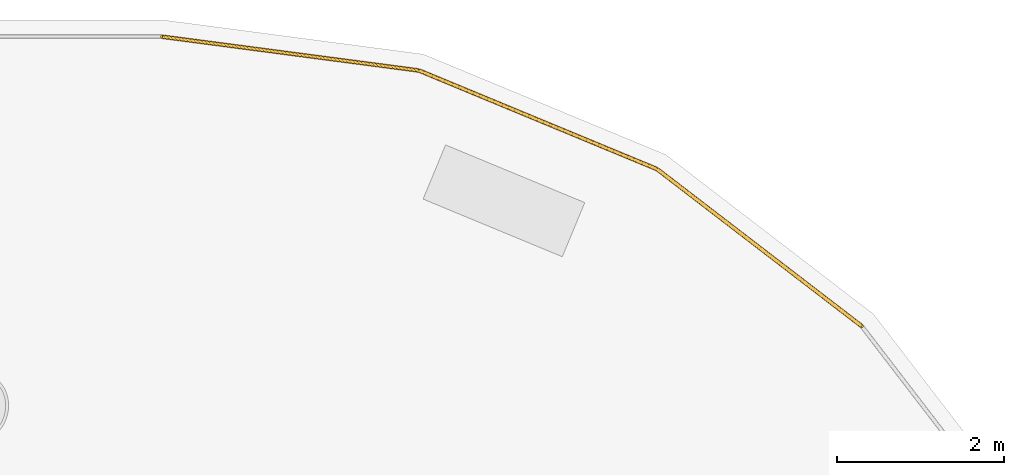
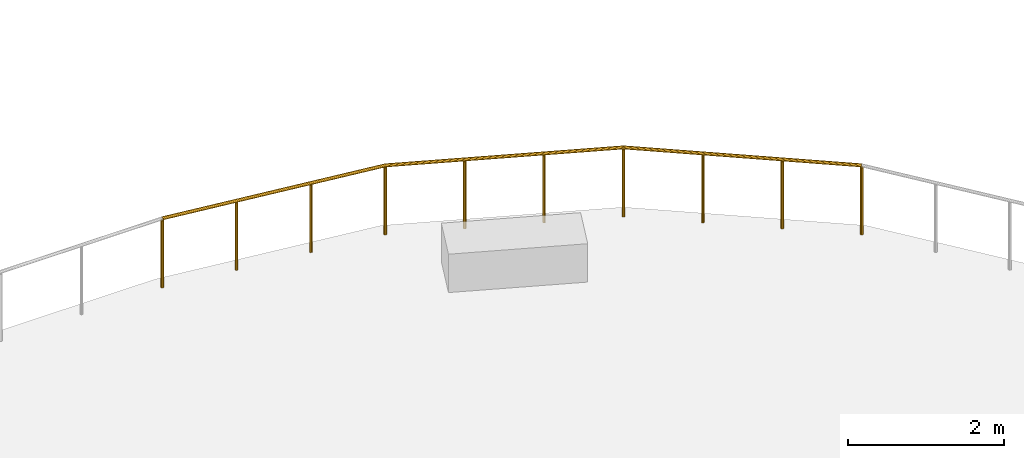
# One storey, part 46 of 47: 1 railing.
"""IFC4 building model written with IfcOpenShell, lengths in metres."""

from ifc_helpers import new_model, si_unit, direction, frame, origin, origin_2d, place, context, subcontext, project, spatial, circle, extrude, material, type_object, element, save


model = new_model("IFC4")

# Units and contexts
model_context = context("Model", 3, precision=1e-05, world=origin(), true_north=direction((0.0, 1.0)))
body_context = subcontext(model_context, "Body", "Model", "MODEL_VIEW")
ifc_project = project(units=[si_unit("LENGTHUNIT", "METRE"), si_unit("AREAUNIT", "SQUARE_METRE"), si_unit("VOLUMEUNIT", "CUBIC_METRE"), si_unit("PLANEANGLEUNIT", "RADIAN"), si_unit("MASSUNIT", "GRAM", prefix="KILO")], contexts=[model_context])

# Site, building, storey
site_placement = place(None, origin())
site = spatial("IfcSite", under=ifc_project, at=site_placement, CompositionType="ELEMENT")
building_placement = place(site_placement, origin())
building = spatial("IfcBuilding", under=site, at=building_placement, Name="Rimbun Link Towers", CompositionType="ELEMENT")
storey_placement = place(building_placement, frame((0.0, 0.0, 30.0)))
storey = spatial("IfcBuildingStorey", under=building, at=storey_placement, Name="L06", CompositionType="ELEMENT", Elevation=30.0)

# Railing
ifc_material = material(Name="Toughened laminated glass, stainless steel grade 316 posts and cap rail", Category="steel")
railing_type = type_object("IfcRailingType", Name="GUARD glass balustrade with stainless cap rail", PredefinedType="BALUSTRADE", material=ifc_material)
railing_placement = place(storey_placement, frame((54.3427734375, 22.3427734375, 0.0)))
element("IfcRailing", 1, at=railing_placement, inside=storey, type_object=railing_type, Name="GUARD glass balustrade", PredefinedType="BALUSTRADE", context=body_context, shape_type="SweptSolid", body=[
    extrude(circle(Radius=0.02392578125, at=origin_2d()), frame((0.0, 0.0, 1.076171875), z_axis=(-0.793398353015, 0.608702762794, 0.0), x_axis=(-0.608702762794, -0.793398353015, 0.0)), (0.0, 0.0, 1.0), 3.079833984375),
    extrude(circle(Radius=0.02392578125, at=origin_2d()), frame((-2.443603515625, 1.874755859375, 1.076171875), z_axis=(-0.92386997747, 0.382706499462, 0.0), x_axis=(-0.382706499462, -0.92386997747, 0.0)), (0.0, 0.0, 1.0), 3.079833984375),
    extrude(circle(Radius=0.02392578125, at=origin_2d()), frame((-5.2890625, 3.053466796875, 1.076171875), z_axis=(-0.991443009305, 0.130540259305, 0.0), x_axis=(-0.130540259305, -0.991443009305, 0.0)), (0.0, 0.0, 1.0), 3.09326171875),
    extrude(circle(Radius=0.02099609375, at=origin_2d()), origin(), (0.0, 0.0, 1.0), 1.052001953125),
    extrude(circle(Radius=0.02099609375, at=origin_2d()), frame((-0.814453125, 0.625, 0.0)), (0.0, 0.0, 1.0), 1.052001953125),
    extrude(circle(Radius=0.02099609375, at=origin_2d()), frame((-1.629150390625, 1.249755859375, 0.0)), (0.0, 0.0, 1.0), 1.052001953125),
    extrude(circle(Radius=0.02099609375, at=origin_2d()), frame((-2.443603515625, 1.874755859375, 0.0)), (0.0, 0.0, 1.0), 1.052001953125),
    extrude(circle(Radius=0.02099609375, at=origin_2d()), frame((-3.39208984375, 2.267578125, 0.0)), (0.0, 0.0, 1.0), 1.052001953125),
    extrude(circle(Radius=0.02099609375, at=origin_2d()), frame((-4.340576171875, 2.66064453125, 0.0)), (0.0, 0.0, 1.0), 1.052001953125),
    extrude(circle(Radius=0.02099609375, at=origin_2d()), frame((-5.2890625, 3.053466796875, 0.0)), (0.0, 0.0, 1.0), 1.052001953125),
    extrude(circle(Radius=0.02099609375, at=origin_2d()), frame((-6.311279296875, 3.18798828125, 0.0)), (0.0, 0.0, 1.0), 1.052001953125),
    extrude(circle(Radius=0.02099609375, at=origin_2d()), frame((-7.333740234375, 3.32275390625, 0.0)), (0.0, 0.0, 1.0), 1.052001953125),
    extrude(circle(Radius=0.02099609375, at=origin_2d()), frame((-8.35595703125, 3.457275390625, 0.0)), (0.0, 0.0, 1.0), 1.052001953125),
])

save(model, "model.ifc")
